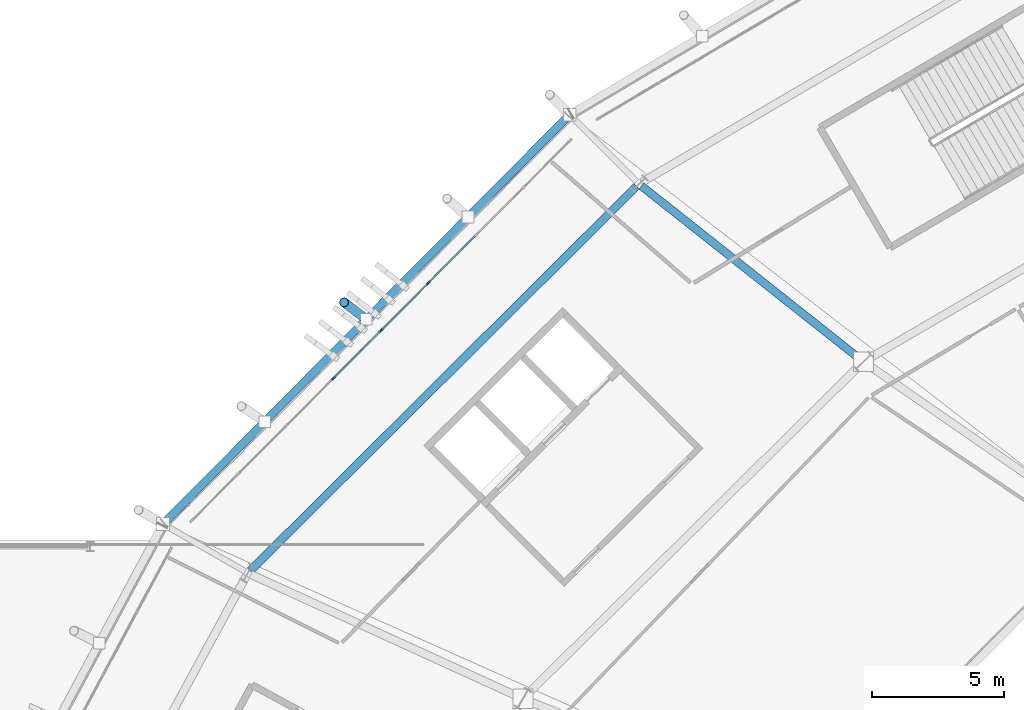
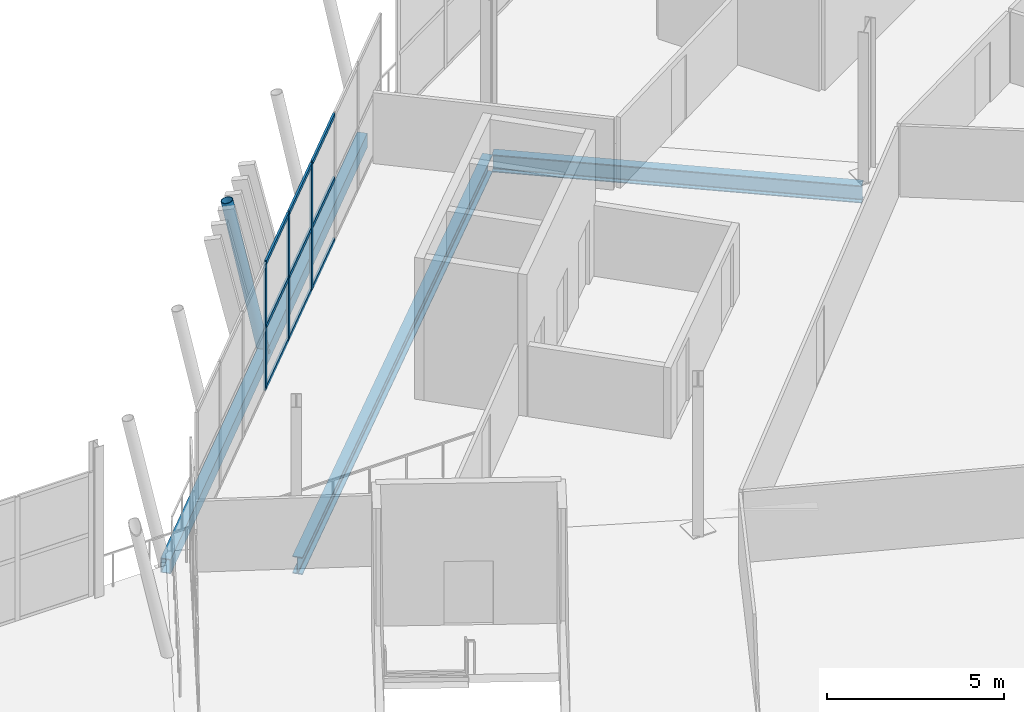
# One storey, part 44 of 168: 13 members, 3 beams, 1 element without a shape of its own.
"""IFC4 building model written with IfcOpenShell, lengths in metres."""

from ifc_helpers import new_model, si_unit, direction, frame, origin, origin_2d, place, context, subcontext, project, spatial, rectangle, hollow_rectangle, hollow_circle, i_section, extrude, material, material_profile, profile_set, type_object, element, aggregate, save


model = new_model("IFC4")

# Units and contexts
model_context = context("Model", 3, precision=1e-05, world=origin(), true_north=direction((0.0, 1.0)))
body_context = subcontext(model_context, "Body", "Model", "MODEL_VIEW")
ifc_project = project(units=[si_unit("LENGTHUNIT", "METRE"), si_unit("AREAUNIT", "SQUARE_METRE"), si_unit("VOLUMEUNIT", "CUBIC_METRE"), si_unit("PLANEANGLEUNIT", "RADIAN"), si_unit("MASSUNIT", "GRAM", prefix="KILO")], contexts=[model_context])

# Site, building, storey
site_placement = place(None, origin())
site = spatial("IfcSite", under=ifc_project, at=site_placement, CompositionType="ELEMENT")
building_placement = place(site_placement, origin())
building = spatial("IfcBuilding", under=site, at=building_placement, Name="Zlatoyarsky Gate Stadium", CompositionType="ELEMENT")
storey_placement = place(building_placement, frame((0.0, 0.0, 15.60009765625)))
storey = spatial("IfcBuildingStorey", under=building, at=storey_placement, Name="L03", CompositionType="ELEMENT", Elevation=15.60009765625)

# Curtain wall, members
ifc_material_1 = material(Name="Thermally broken anodised aluminium curtain wall", Category="aluminium")
curtain_wall_type = type_object("IfcCurtainWallType", Name="UNITISED CORPORATE BOX GLAZING L03", PredefinedType="USERDEFINED", material=ifc_material_1)
curtain_wall_placement = place(storey_placement, origin())
curtain_wall = element("IfcCurtainWall", 1, at=curtain_wall_placement, inside=storey, type_object=curtain_wall_type, Name="Curtain wall CW-L03-09", ObjectType="UNITISED GLAZING", PredefinedType="USERDEFINED")
ifc_material_2 = material(Name="Anodised aluminium 6063-T6", Category="aluminium")
ifc_material_profile_1 = material_profile(ifc_material_2, rectangle(XDim=0.06494140625, YDim=0.159912109375, at=origin_2d()), Name="ALU 65X160")
ifc_profile_set_1 = profile_set([ifc_material_profile_1], Name="Anodised aluminium 6063-T6")
member_type_1 = type_object("IfcMemberType", Name="ALUMINIUM MULLION 65X160", PredefinedType="MULLION", material=ifc_profile_set_1)
member_1_placement = place(storey_placement, frame((37.2802734375, 126.46484375, 0.0), z_axis=(0.0, 0.0, 1.0), x_axis=(0.708721143054, -0.705488725202, 0.0)))
member_1 = element("IfcMember", 2, at=member_1_placement, type_object=member_type_1, Name="CW-UG3 mullion 4", PredefinedType="MULLION", context=body_context, shape_type="SweptSolid", body=[
    extrude(rectangle(XDim=0.06494140625, YDim=0.159912109375, at=origin_2d()), origin(), (0.0, 0.0, 1.0), 4.3798828125),
])
member_2_placement = place(storey_placement, frame((35.488037109375, 124.664306640625, 0.0), z_axis=(0.0, 0.0, 1.0), x_axis=(0.708721143054, -0.705488725202, 0.0)))
member_2 = element("IfcMember", 3, at=member_2_placement, type_object=member_type_1, Name="CW-UG3 mullion 5", PredefinedType="MULLION", context=body_context, shape_type="SweptSolid", body=[
    extrude(rectangle(XDim=0.06494140625, YDim=0.159912109375, at=origin_2d()), origin(), (0.0, 0.0, 1.0), 4.3798828125),
])
member_3_placement = place(storey_placement, frame((33.695556640625, 122.86376953125, 0.0), z_axis=(0.0, 0.0, 1.0), x_axis=(0.708721143054, -0.705488725202, 0.0)))
member_3 = element("IfcMember", 4, at=member_3_placement, type_object=member_type_1, Name="CW-UG3 mullion 6", PredefinedType="MULLION", context=body_context, shape_type="SweptSolid", body=[
    extrude(rectangle(XDim=0.06494140625, YDim=0.159912109375, at=origin_2d()), origin(), (0.0, 0.0, 1.0), 4.3798828125),
])
ifc_material_profile_2 = material_profile(ifc_material_2, rectangle(XDim=0.06494140625, YDim=0.139892578125, at=origin_2d()), Name="ALU 65X140")
ifc_profile_set_2 = profile_set([ifc_material_profile_2], Name="Anodised aluminium 6063-T6")
member_type_2 = type_object("IfcMemberType", Name="ALUMINIUM TRANSOM 65X140", PredefinedType="USERDEFINED", material=ifc_profile_set_2)
member_4_placement = place(storey_placement, frame((39.0498046875, 128.242431640625, 0.032470703125), z_axis=(-0.705527101456, -0.708682939763, 0.0), x_axis=(0.708682939763, -0.705527101456, 0.0)))
member_4 = element("IfcMember", 5, at=member_4_placement, type_object=member_type_2, Name="CW-UG3 transom 3.1", ObjectType="TRANSOM", PredefinedType="USERDEFINED", context=body_context, shape_type="SweptSolid", body=[
    extrude(rectangle(XDim=0.06494140625, YDim=0.139892578125, at=origin_2d()), origin(), (0.0, 0.0, 1.0), 2.4755859375),
])
member_5_placement = place(storey_placement, frame((39.0498046875, 128.242431640625, 2.14990234375), z_axis=(-0.705527101456, -0.708682939763, 0.0), x_axis=(0.708682939763, -0.705527101456, 0.0)))
member_5 = element("IfcMember", 6, at=member_5_placement, type_object=member_type_2, Name="CW-UG3 transom 3.2", ObjectType="TRANSOM", PredefinedType="USERDEFINED", context=body_context, shape_type="SweptSolid", body=[
    extrude(rectangle(XDim=0.06494140625, YDim=0.139892578125, at=origin_2d()), origin(), (0.0, 0.0, 1.0), 2.4755859375),
])
member_6_placement = place(storey_placement, frame((39.0498046875, 128.242431640625, 4.347412109375), z_axis=(-0.705527101456, -0.708682939763, 0.0), x_axis=(0.708682939763, -0.705527101456, 0.0)))
member_6 = element("IfcMember", 7, at=member_6_placement, type_object=member_type_2, Name="CW-UG3 transom 3.3", ObjectType="TRANSOM", PredefinedType="USERDEFINED", context=body_context, shape_type="SweptSolid", body=[
    extrude(rectangle(XDim=0.06494140625, YDim=0.139892578125, at=origin_2d()), origin(), (0.0, 0.0, 1.0), 2.4755859375),
])
member_7_placement = place(storey_placement, frame((37.25732421875, 126.44189453125, 0.032470703125), z_axis=(-0.705428255099, -0.708781332223, 0.0), x_axis=(0.708781332223, -0.705428255099, 0.0)))
member_7 = element("IfcMember", 8, at=member_7_placement, type_object=member_type_2, Name="CW-UG3 transom 4.1", ObjectType="TRANSOM", PredefinedType="USERDEFINED", context=body_context, shape_type="SweptSolid", body=[
    extrude(rectangle(XDim=0.06494140625, YDim=0.139892578125, at=origin_2d()), origin(), (0.0, 0.0, 1.0), 2.4755859375),
])
member_8_placement = place(storey_placement, frame((37.25732421875, 126.44189453125, 2.14990234375), z_axis=(-0.705428255099, -0.708781332223, 0.0), x_axis=(0.708781332223, -0.705428255099, 0.0)))
member_8 = element("IfcMember", 9, at=member_8_placement, type_object=member_type_2, Name="CW-UG3 transom 4.2", ObjectType="TRANSOM", PredefinedType="USERDEFINED", context=body_context, shape_type="SweptSolid", body=[
    extrude(rectangle(XDim=0.06494140625, YDim=0.139892578125, at=origin_2d()), origin(), (0.0, 0.0, 1.0), 2.4755859375),
])
member_9_placement = place(storey_placement, frame((37.25732421875, 126.44189453125, 4.347412109375), z_axis=(-0.705428255099, -0.708781332223, 0.0), x_axis=(0.708781332223, -0.705428255099, 0.0)))
member_9 = element("IfcMember", 10, at=member_9_placement, type_object=member_type_2, Name="CW-UG3 transom 4.3", ObjectType="TRANSOM", PredefinedType="USERDEFINED", context=body_context, shape_type="SweptSolid", body=[
    extrude(rectangle(XDim=0.06494140625, YDim=0.139892578125, at=origin_2d()), origin(), (0.0, 0.0, 1.0), 2.4755859375),
])
member_10_placement = place(storey_placement, frame((35.465087890625, 124.641357421875, 0.032470703125), z_axis=(-0.705477793712, -0.708732024519, 0.0), x_axis=(0.708732024519, -0.705477793712, 0.0)))
member_10 = element("IfcMember", 11, at=member_10_placement, type_object=member_type_2, Name="CW-UG3 transom 5.1", ObjectType="TRANSOM", PredefinedType="USERDEFINED", context=body_context, shape_type="SweptSolid", body=[
    extrude(rectangle(XDim=0.06494140625, YDim=0.139892578125, at=origin_2d()), origin(), (0.0, 0.0, 1.0), 2.475830078125),
])
member_11_placement = place(storey_placement, frame((35.465087890625, 124.641357421875, 2.14990234375), z_axis=(-0.705477793712, -0.708732024519, 0.0), x_axis=(0.708732024519, -0.705477793712, 0.0)))
member_11 = element("IfcMember", 12, at=member_11_placement, type_object=member_type_2, Name="CW-UG3 transom 5.2", ObjectType="TRANSOM", PredefinedType="USERDEFINED", context=body_context, shape_type="SweptSolid", body=[
    extrude(rectangle(XDim=0.06494140625, YDim=0.139892578125, at=origin_2d()), origin(), (0.0, 0.0, 1.0), 2.475830078125),
])
member_12_placement = place(storey_placement, frame((35.465087890625, 124.641357421875, 4.347412109375), z_axis=(-0.705477793712, -0.708732024519, 0.0), x_axis=(0.708732024519, -0.705477793712, 0.0)))
member_12 = element("IfcMember", 13, at=member_12_placement, type_object=member_type_2, Name="CW-UG3 transom 5.3", ObjectType="TRANSOM", PredefinedType="USERDEFINED", context=body_context, shape_type="SweptSolid", body=[
    extrude(rectangle(XDim=0.06494140625, YDim=0.139892578125, at=origin_2d()), origin(), (0.0, 0.0, 1.0), 2.475830078125),
])
aggregate(curtain_wall, [member_1, member_2, member_3, member_4, member_5, member_6, member_7, member_8, member_9, member_10, member_11, member_12])

# Member
ifc_material_3 = material(Name="Steel S355", Category="steel")
ifc_material_profile_3 = material_profile(ifc_material_3, hollow_circle(Radius=0.177734375, WallThickness=0.02001953125, at=origin_2d()), Name="CHS 355.6X20")
ifc_profile_set_3 = profile_set([ifc_material_profile_3], Name="Steel S355")
member_type_3 = type_object("IfcMemberType", Name="STEEL LEANING RIB RING STRUT CHS 355.6X20", PredefinedType="STRUT", material=ifc_profile_set_3)
member_13_placement = place(storey_placement, frame((34.937255859375, 125.086669921875, -0.530029296875), z_axis=(-0.158761356105, 0.121864810576, 0.979767217124), x_axis=(-0.608896451371, -0.793249715731, 0.0)))
element("IfcMember", 14, at=member_13_placement, inside=storey, type_object=member_type_3, Name="Outward-leaning bowl louvre fin rib L03 09-2", PredefinedType="STRUT", context=body_context, shape_type="SweptSolid", body=[
    extrude(hollow_circle(Radius=0.177734375, WallThickness=0.02001953125, at=origin_2d()), origin(), (0.0, 0.0, 1.0), 5.286865234375),
])

# Beams
ifc_material_profile_4 = material_profile(ifc_material_3, hollow_rectangle(XDim=0.300048828125, YDim=0.5, WallThickness=0.02001953125, at=origin_2d()), Name="RHS 500X300X20")
ifc_profile_set_4 = profile_set([ifc_material_profile_4], Name="Steel S355")
beam_type_1 = type_object("IfcBeamType", Name="STEEL LOUVRE CARRIER SPANDREL RHS 500X300X20", PredefinedType="SPANDREL", material=ifc_profile_set_4)
beam_1_placement = place(storey_placement, frame((42.607177734375, 132.80810546875, -0.530029296875), z_axis=(-0.704730557103, -0.709475046697, 0.0), x_axis=(0.709475046697, -0.704730557103, 0.0)))
element("IfcBeam", 15, at=beam_1_placement, inside=storey, type_object=beam_type_1, Name="Beam SP-RHS500 BM-L03-SPD-09", PredefinedType="SPANDREL", context=body_context, shape_type="SweptSolid", body=[
    extrude(hollow_rectangle(XDim=0.300048828125, YDim=0.5, WallThickness=0.02001953125, at=origin_2d()), origin(), (0.0, 0.0, 1.0), 21.7666015625),
])
ifc_material_profile_5 = material_profile(ifc_material_3, i_section(OverallWidth=0.300048828125, OverallDepth=0.60009765625, WebThickness=0.015380859375, FlangeThickness=0.030029296875, FilletRadius=0.027099609375, at=origin_2d()), Name="HEB 600")
ifc_profile_set_5 = profile_set([ifc_material_profile_5], Name="Steel S355")
beam_type_2 = type_object("IfcBeamType", Name="STEEL PRIMARY GIRDER HEB 600", PredefinedType="BEAM", material=ifc_profile_set_5)
beam_2_placement = place(storey_placement, frame((53.63037109375, 123.5615234375, -0.580078125), z_axis=(-0.78404348542, 0.620705898933, 0.0), x_axis=(-0.620705898933, -0.78404348542, 0.0)))
element("IfcBeam", 16, at=beam_2_placement, inside=storey, type_object=beam_type_2, Name="Beam G-HEB600 BM-L03-RBC-09", PredefinedType="BEAM", context=body_context, shape_type="SweptSolid", body=[
    extrude(i_section(OverallWidth=0.300048828125, OverallDepth=0.60009765625, WebThickness=0.015380859375, FlangeThickness=0.030029296875, FilletRadius=0.027099609375, at=origin_2d()), origin(), (0.0, 0.0, 1.0), 10.58251953125),
])
beam_3_placement = place(storey_placement, frame((45.154052734375, 130.1201171875, -0.580078125), z_axis=(-0.708899260134, -0.705309746835, 0.0), x_axis=(0.705309746835, -0.708899260134, 0.0)))
element("IfcBeam", 17, at=beam_3_placement, inside=storey, type_object=beam_type_2, Name="Beam G-HEB600 BM-L03-CRC-09", PredefinedType="BEAM", context=body_context, shape_type="SweptSolid", body=[
    extrude(i_section(OverallWidth=0.300048828125, OverallDepth=0.60009765625, WebThickness=0.015380859375, FlangeThickness=0.030029296875, FilletRadius=0.027099609375, at=origin_2d()), origin(), (0.0, 0.0, 1.0), 20.608642578125),
])

save(model, "model.ifc")
